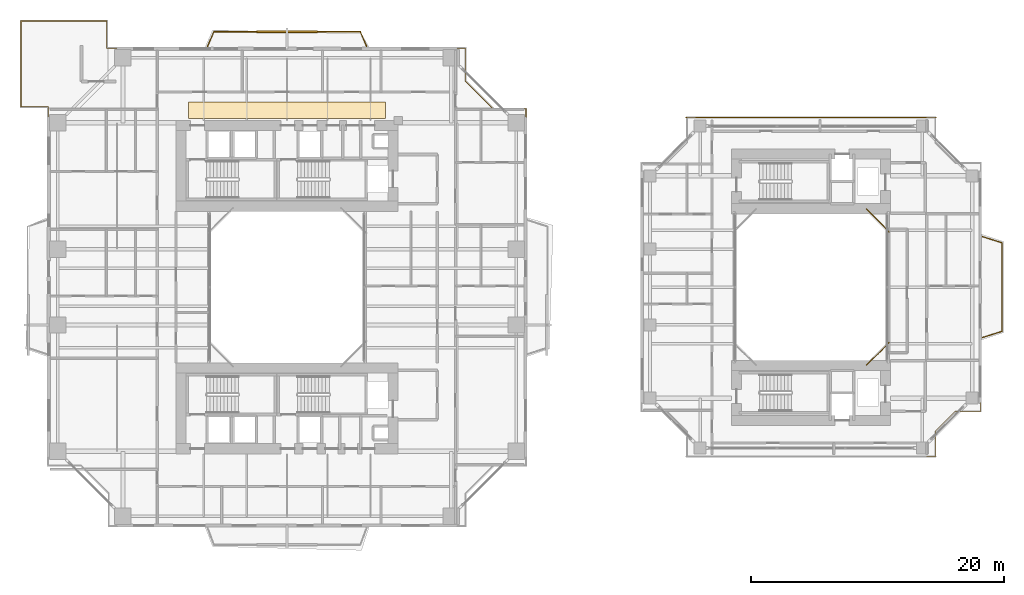
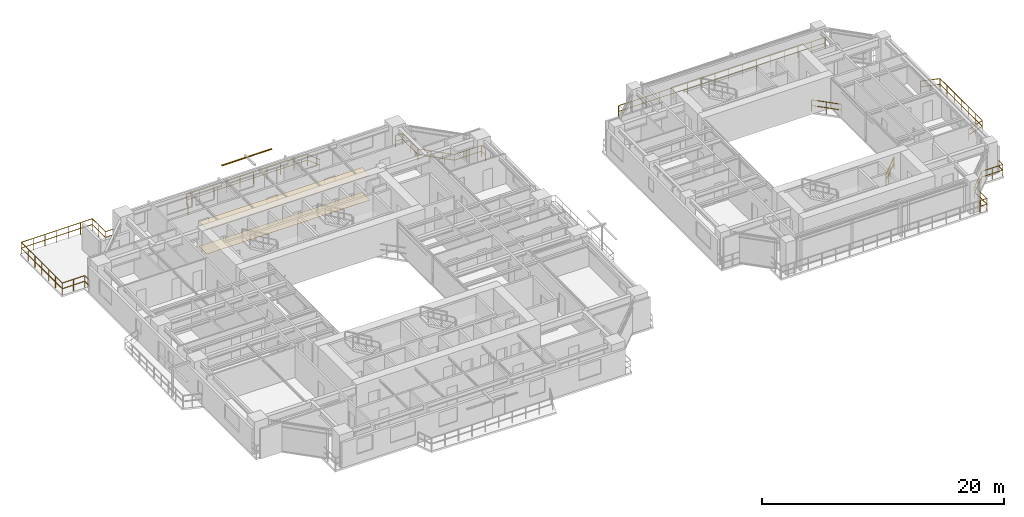
# One storey, part 23 of 24: 8 railings, 2 coverings, 1 shading device.
"""IFC4 building model written with IfcOpenShell, lengths in metres."""

from ifc_helpers import new_model, si_unit, direction, frame, origin, origin_2d, place, context, subcontext, project, spatial, polyline, rectangle, outline, extrude, source, transform, mapped, material, layer, layer_set, material_profile, profile_set, type_object, element, save


model = new_model("IFC4")

# Units and contexts
model_context = context("Model", 3, precision=1e-05, world=origin(), true_north=direction((0.0, 1.0)))
body_context = subcontext(model_context, "Body", "Model", "MODEL_VIEW")
ifc_project = project(units=[si_unit("LENGTHUNIT", "METRE"), si_unit("AREAUNIT", "SQUARE_METRE"), si_unit("VOLUMEUNIT", "CUBIC_METRE"), si_unit("PLANEANGLEUNIT", "RADIAN"), si_unit("MASSUNIT", "GRAM", prefix="KILO"), si_unit("THERMODYNAMICTEMPERATUREUNIT", "KELVIN"), si_unit("POWERUNIT", "WATT")], contexts=[model_context])

# Site, building, storey
site_placement = place(None, origin())
site = spatial("IfcSite", under=ifc_project, at=site_placement, CompositionType="ELEMENT")
building_placement = place(site_placement, origin())
building = spatial("IfcBuilding", under=site, at=building_placement, Name="Qiaomeng Ring Towers", CompositionType="ELEMENT")
storey_placement = place(building_placement, frame((0.0, 0.0, 42.5)))
storey = spatial("IfcBuildingStorey", under=building, at=storey_placement, Name="L11", CompositionType="ELEMENT", Elevation=42.5)

# Coverings
ifc_material_1 = material(Name="Moisture-resistant gypsum ceiling board", Category="gypsum")
ifc_layer_1 = layer(ifc_material_1, 0.030029296875, Name="Moisture-resistant gypsum ceiling board")
ifc_layer_set_1 = layer_set([ifc_layer_1], Name="Moisture-resistant gypsum ceiling board")
covering_type_1 = type_object("IfcCoveringType", Name="ARC-COV-CEIL2", PredefinedType="CEILING", material=ifc_layer_set_1)
covering_1_placement = place(storey_placement, frame((0.0, 0.0, 2.510009765625)))
element("IfcCovering", 1, at=covering_1_placement, inside=storey, type_object=covering_type_1, Name="L11 Corridor Acoustic Ceiling", PredefinedType="CEILING", context=body_context, shape_type="SweptSolid", body=[
    extrude(outline(polyline([(11.199951171875, 36.35009765625), (11.199951171875, 37.64990234375), (26.800048828125, 37.64990234375), (26.800048828125, 36.35009765625), (11.199951171875, 36.35009765625)])), origin(), (0.0, 0.0, 1.0), 0.02490234375),
])
ifc_material_2 = material(Name="Vitrified porcelain floor tile", Category="ceramic")
ifc_layer_2 = layer(ifc_material_2, 0.02001953125, Name="Vitrified porcelain floor tile")
ifc_layer_set_2 = layer_set([ifc_layer_2], Name="Vitrified porcelain floor tile")
covering_type_2 = type_object("IfcCoveringType", Name="ARC-COV-FLR1", PredefinedType="FLOORING", material=ifc_layer_set_2)
covering_2_placement = place(storey_placement, origin())
element("IfcCovering", 2, at=covering_2_placement, inside=storey, type_object=covering_type_2, Name="L11 Corridor Stone Flooring", PredefinedType="FLOORING", context=body_context, shape_type="SweptSolid", body=[
    extrude(outline(polyline([(11.199951171875, 36.35009765625), (11.199951171875, 37.64990234375), (26.800048828125, 37.64990234375), (26.800048828125, 36.35009765625), (11.199951171875, 36.35009765625)])), origin(), (0.0, 0.0, 1.0), 0.02001953125),
])

# Railings
ifc_material_3 = material(Name="Low-E pale-green laminated safety glass", Category="glass")
railing_type = type_object("IfcRailingType", Name="ARC-RL-BAL1", PredefinedType="BALUSTRADE", material=ifc_material_3)
railing_1_placement = place(storey_placement, frame((37.919921875, 36.469970703125, 0.0)))
element("IfcRailing", 3, at=railing_1_placement, inside=storey, type_object=railing_type, Name="L11 Balustrade ARC-BAL-NOTCH1-L11-NE", PredefinedType="BALUSTRADE", context=body_context, shape_type="SweptSolid", body=[
    extrude(rectangle(XDim=0.048095703125, YDim=0.048095703125, at=origin_2d()), frame((0.0, 0.0, 1.17578125), z_axis=(0.0, 1.0, 0.0), x_axis=(-1.0, 0.0, 0.0)), (0.0, 0.0, 1.0), 0.650146484375),
    extrude(rectangle(XDim=0.048095703125, YDim=0.048095703125, at=origin_2d()), frame((0.0, 0.0, 0.60009765625), z_axis=(0.0, 1.0, 0.0), x_axis=(-1.0, 0.0, 0.0)), (0.0, 0.0, 1.0), 0.650146484375),
    extrude(rectangle(XDim=0.048095703125, YDim=0.048095703125, at=origin_2d()), frame((0.0, 0.650146484375, 1.17578125), z_axis=(-1.0, 0.0, 0.0), x_axis=(0.0, -1.0, 0.0)), (0.0, 0.0, 1.0), 2.599853515625),
    extrude(rectangle(XDim=0.048095703125, YDim=0.048095703125, at=origin_2d()), frame((0.0, 0.650146484375, 0.60009765625), z_axis=(-1.0, 0.0, 0.0), x_axis=(0.0, -1.0, 0.0)), (0.0, 0.0, 1.0), 2.599853515625),
    extrude(rectangle(XDim=0.048095703125, YDim=0.048095703125, at=origin_2d()), frame((-2.599853515625, 0.650146484375, 1.17578125), z_axis=(-0.707106781187, 0.707106781187, 0.0), x_axis=(-0.707106781187, -0.707106781187, 0.0)), (0.0, 0.0, 1.0), 3.111083984375),
    extrude(rectangle(XDim=0.048095703125, YDim=0.048095703125, at=origin_2d()), frame((-2.599853515625, 0.650146484375, 0.60009765625), z_axis=(-0.707106781187, 0.707106781187, 0.0), x_axis=(-0.707106781187, -0.707106781187, 0.0)), (0.0, 0.0, 1.0), 3.111083984375),
    extrude(rectangle(XDim=0.048095703125, YDim=0.048095703125, at=origin_2d()), frame((-4.7998046875, 2.85009765625, 1.17578125), z_axis=(0.0, 1.0, 0.0), x_axis=(-1.0, 0.0, 0.0)), (0.0, 0.0, 1.0), 2.599853515625),
    extrude(rectangle(XDim=0.048095703125, YDim=0.048095703125, at=origin_2d()), frame((-4.7998046875, 2.85009765625, 0.60009765625), z_axis=(0.0, 1.0, 0.0), x_axis=(-1.0, 0.0, 0.0)), (0.0, 0.0, 1.0), 2.599853515625),
    extrude(rectangle(XDim=0.048095703125, YDim=0.048095703125, at=origin_2d()), frame((-4.7998046875, 5.449951171875, 1.17578125), z_axis=(-1.0, 0.0, 0.0), x_axis=(0.0, -1.0, 0.0)), (0.0, 0.0, 1.0), 0.650146484375),
    extrude(rectangle(XDim=0.048095703125, YDim=0.048095703125, at=origin_2d()), frame((-4.7998046875, 5.449951171875, 0.60009765625), z_axis=(-1.0, 0.0, 0.0), x_axis=(0.0, -1.0, 0.0)), (0.0, 0.0, 1.0), 0.650146484375),
    extrude(rectangle(XDim=0.0419921875, YDim=0.0419921875, at=origin_2d()), origin(), (0.0, 0.0, 1.0), 1.15185546875),
    extrude(rectangle(XDim=0.0419921875, YDim=0.0419921875, at=origin_2d()), frame((0.0, 0.650146484375, 0.0)), (0.0, 0.0, 1.0), 1.15185546875),
    extrude(rectangle(XDim=0.0419921875, YDim=0.0419921875, at=origin_2d()), frame((-1.2998046875, 0.650146484375, 0.0)), (0.0, 0.0, 1.0), 1.15185546875),
    extrude(rectangle(XDim=0.0419921875, YDim=0.0419921875, at=origin_2d()), frame((-2.599853515625, 0.650146484375, 0.0)), (0.0, 0.0, 1.0), 1.15185546875),
    extrude(rectangle(XDim=0.0419921875, YDim=0.0419921875, at=origin_2d()), frame((-3.333251953125, 1.383544921875, 0.0)), (0.0, 0.0, 1.0), 1.15185546875),
    extrude(rectangle(XDim=0.0419921875, YDim=0.0419921875, at=origin_2d()), frame((-4.06640625, 2.11669921875, 0.0)), (0.0, 0.0, 1.0), 1.15185546875),
    extrude(rectangle(XDim=0.0419921875, YDim=0.0419921875, at=origin_2d()), frame((-4.7998046875, 2.85009765625, 0.0)), (0.0, 0.0, 1.0), 1.15185546875),
    extrude(rectangle(XDim=0.0419921875, YDim=0.0419921875, at=origin_2d()), frame((-4.7998046875, 4.14990234375, 0.0)), (0.0, 0.0, 1.0), 1.15185546875),
    extrude(rectangle(XDim=0.0419921875, YDim=0.0419921875, at=origin_2d()), frame((-4.7998046875, 5.449951171875, 0.0)), (0.0, 0.0, 1.0), 1.15185546875),
    extrude(rectangle(XDim=0.0419921875, YDim=0.0419921875, at=origin_2d()), frame((-5.449951171875, 5.449951171875, 0.0)), (0.0, 0.0, 1.0), 1.15185546875),
])
railing_2_placement = place(storey_placement, frame((5.52001953125, 41.919921875, 0.0)))
element("IfcRailing", 4, at=railing_2_placement, inside=storey, type_object=railing_type, Name="L11 Balustrade ARC-BAL-L11-SPIRAL-NW", PredefinedType="BALUSTRADE", context=body_context, shape_type="SweptSolid", body=[
    extrude(rectangle(XDim=0.048095703125, YDim=0.048095703125, at=origin_2d()), frame((0.0, 0.0, 1.17578125), z_axis=(-1.0, 0.0, 0.0), x_axis=(0.0, -1.0, 0.0)), (0.0, 0.0, 1.0), 0.800048828125),
    extrude(rectangle(XDim=0.048095703125, YDim=0.048095703125, at=origin_2d()), frame((0.0, 0.0, 0.60009765625), z_axis=(-1.0, 0.0, 0.0), x_axis=(0.0, -1.0, 0.0)), (0.0, 0.0, 1.0), 0.800048828125),
    extrude(rectangle(XDim=0.048095703125, YDim=0.048095703125, at=origin_2d()), frame((-0.800048828125, 0.0, 1.17578125), z_axis=(0.0, 1.0, 0.0), x_axis=(-1.0, 0.0, 0.0)), (0.0, 0.0, 1.0), 2.150146484375),
    extrude(rectangle(XDim=0.048095703125, YDim=0.048095703125, at=origin_2d()), frame((-0.800048828125, 0.0, 0.60009765625), z_axis=(0.0, 1.0, 0.0), x_axis=(-1.0, 0.0, 0.0)), (0.0, 0.0, 1.0), 2.150146484375),
    extrude(rectangle(XDim=0.048095703125, YDim=0.048095703125, at=origin_2d()), frame((-0.800048828125, 2.150146484375, 1.17578125), z_axis=(-1.0, 0.0, 0.0), x_axis=(0.0, -1.0, 0.0)), (0.0, 0.0, 1.0), 6.7900390625),
    extrude(rectangle(XDim=0.048095703125, YDim=0.048095703125, at=origin_2d()), frame((-0.800048828125, 2.150146484375, 0.60009765625), z_axis=(-1.0, 0.0, 0.0), x_axis=(0.0, -1.0, 0.0)), (0.0, 0.0, 1.0), 6.7900390625),
    extrude(rectangle(XDim=0.048095703125, YDim=0.048095703125, at=origin_2d()), frame((-7.590087890625, 2.150146484375, 1.17578125), z_axis=(0.0, -1.0, 0.0), x_axis=(1.0, 0.0, 0.0)), (0.0, 0.0, 1.0), 6.7900390625),
    extrude(rectangle(XDim=0.048095703125, YDim=0.048095703125, at=origin_2d()), frame((-7.590087890625, 2.150146484375, 0.60009765625), z_axis=(0.0, -1.0, 0.0), x_axis=(1.0, 0.0, 0.0)), (0.0, 0.0, 1.0), 6.7900390625),
    extrude(rectangle(XDim=0.048095703125, YDim=0.048095703125, at=origin_2d()), frame((-7.590087890625, -4.639892578125, 1.17578125), z_axis=(1.0, 0.0, 0.0), x_axis=(0.0, 1.0, 0.0)), (0.0, 0.0, 1.0), 2.150146484375),
    extrude(rectangle(XDim=0.048095703125, YDim=0.048095703125, at=origin_2d()), frame((-7.590087890625, -4.639892578125, 0.60009765625), z_axis=(1.0, 0.0, 0.0), x_axis=(0.0, 1.0, 0.0)), (0.0, 0.0, 1.0), 2.150146484375),
    extrude(rectangle(XDim=0.048095703125, YDim=0.048095703125, at=origin_2d()), frame((-5.43994140625, -4.639892578125, 1.17578125), z_axis=(0.0, -1.0, 0.0), x_axis=(1.0, 0.0, 0.0)), (0.0, 0.0, 1.0), 0.800048828125),
    extrude(rectangle(XDim=0.048095703125, YDim=0.048095703125, at=origin_2d()), frame((-5.43994140625, -4.639892578125, 0.60009765625), z_axis=(0.0, -1.0, 0.0), x_axis=(1.0, 0.0, 0.0)), (0.0, 0.0, 1.0), 0.800048828125),
    extrude(rectangle(XDim=0.0419921875, YDim=0.0419921875, at=origin_2d()), origin(), (0.0, 0.0, 1.0), 1.15185546875),
    extrude(rectangle(XDim=0.0419921875, YDim=0.0419921875, at=origin_2d()), frame((-0.800048828125, 0.0, 0.0)), (0.0, 0.0, 1.0), 1.15185546875),
    extrude(rectangle(XDim=0.0419921875, YDim=0.0419921875, at=origin_2d()), frame((-0.800048828125, 1.0751953125, 0.0)), (0.0, 0.0, 1.0), 1.15185546875),
    extrude(rectangle(XDim=0.0419921875, YDim=0.0419921875, at=origin_2d()), frame((-0.800048828125, 2.150146484375, 0.0)), (0.0, 0.0, 1.0), 1.15185546875),
    extrude(rectangle(XDim=0.0419921875, YDim=0.0419921875, at=origin_2d()), frame((-1.931640625, 2.150146484375, 0.0)), (0.0, 0.0, 1.0), 1.15185546875),
    extrude(rectangle(XDim=0.0419921875, YDim=0.0419921875, at=origin_2d()), frame((-3.0634765625, 2.150146484375, 0.0)), (0.0, 0.0, 1.0), 1.15185546875),
    extrude(rectangle(XDim=0.0419921875, YDim=0.0419921875, at=origin_2d()), frame((-4.195068359375, 2.150146484375, 0.0)), (0.0, 0.0, 1.0), 1.15185546875),
    extrude(rectangle(XDim=0.0419921875, YDim=0.0419921875, at=origin_2d()), frame((-5.32666015625, 2.150146484375, 0.0)), (0.0, 0.0, 1.0), 1.15185546875),
    extrude(rectangle(XDim=0.0419921875, YDim=0.0419921875, at=origin_2d()), frame((-6.45849609375, 2.150146484375, 0.0)), (0.0, 0.0, 1.0), 1.15185546875),
    extrude(rectangle(XDim=0.0419921875, YDim=0.0419921875, at=origin_2d()), frame((-7.590087890625, 2.150146484375, 0.0)), (0.0, 0.0, 1.0), 1.15185546875),
    extrude(rectangle(XDim=0.0419921875, YDim=0.0419921875, at=origin_2d()), frame((-7.590087890625, 1.0185546875, 0.0)), (0.0, 0.0, 1.0), 1.15185546875),
    extrude(rectangle(XDim=0.0419921875, YDim=0.0419921875, at=origin_2d()), frame((-7.590087890625, -0.11328125, 0.0)), (0.0, 0.0, 1.0), 1.15185546875),
    extrude(rectangle(XDim=0.0419921875, YDim=0.0419921875, at=origin_2d()), frame((-7.590087890625, -1.244873046875, 0.0)), (0.0, 0.0, 1.0), 1.15185546875),
    extrude(rectangle(XDim=0.0419921875, YDim=0.0419921875, at=origin_2d()), frame((-7.590087890625, -2.37646484375, 0.0)), (0.0, 0.0, 1.0), 1.15185546875),
    extrude(rectangle(XDim=0.0419921875, YDim=0.0419921875, at=origin_2d()), frame((-7.590087890625, -3.50830078125, 0.0)), (0.0, 0.0, 1.0), 1.15185546875),
    extrude(rectangle(XDim=0.0419921875, YDim=0.0419921875, at=origin_2d()), frame((-7.590087890625, -4.639892578125, 0.0)), (0.0, 0.0, 1.0), 1.15185546875),
    extrude(rectangle(XDim=0.0419921875, YDim=0.0419921875, at=origin_2d()), frame((-6.51513671875, -4.639892578125, 0.0)), (0.0, 0.0, 1.0), 1.15185546875),
    extrude(rectangle(XDim=0.0419921875, YDim=0.0419921875, at=origin_2d()), frame((-5.43994140625, -4.639892578125, 0.0)), (0.0, 0.0, 1.0), 1.15185546875),
    extrude(rectangle(XDim=0.0419921875, YDim=0.0419921875, at=origin_2d()), frame((-5.43994140625, -5.43994140625, 0.0)), (0.0, 0.0, 1.0), 1.15185546875),
])
railing_3_placement = place(storey_placement, frame((12.699951171875, 42.050048828125, 0.0)))
element("IfcRailing", 5, at=railing_3_placement, inside=storey, type_object=railing_type, Name="L11 Balustrade ARC-BAL-L11-T1-N", PredefinedType="BALUSTRADE", context=body_context, shape_type="SweptSolid", body=[
    extrude(rectangle(XDim=0.048095703125, YDim=0.048095703125, at=origin_2d()), frame((0.0, 0.0, 1.17578125), z_axis=(0.39299272826, 0.919541579014, 0.0), x_axis=(-0.919541579014, 0.39299272826, 0.0)), (0.0, 0.0, 1.0), 1.272216796875),
    extrude(rectangle(XDim=0.048095703125, YDim=0.048095703125, at=origin_2d()), frame((0.0, 0.0, 0.60009765625), z_axis=(0.39299272826, 0.919541579014, 0.0), x_axis=(-0.919541579014, 0.39299272826, 0.0)), (0.0, 0.0, 1.0), 1.272216796875),
    extrude(rectangle(XDim=0.048095703125, YDim=0.048095703125, at=origin_2d()), frame((0.5, 1.169921875, 1.17578125), z_axis=(1.0, 0.0, 0.0), x_axis=(0.0, 1.0, 0.0)), (0.0, 0.0, 1.0), 11.60009765625),
    extrude(rectangle(XDim=0.048095703125, YDim=0.048095703125, at=origin_2d()), frame((0.5, 1.169921875, 0.60009765625), z_axis=(1.0, 0.0, 0.0), x_axis=(0.0, 1.0, 0.0)), (0.0, 0.0, 1.0), 11.60009765625),
    extrude(rectangle(XDim=0.048095703125, YDim=0.048095703125, at=origin_2d()), frame((12.10009765625, 1.169921875, 1.17578125), z_axis=(0.39299272826, -0.919541579014, 0.0), x_axis=(0.919541579014, 0.39299272826, 0.0)), (0.0, 0.0, 1.0), 1.272216796875),
    extrude(rectangle(XDim=0.048095703125, YDim=0.048095703125, at=origin_2d()), frame((12.10009765625, 1.169921875, 0.60009765625), z_axis=(0.39299272826, -0.919541579014, 0.0), x_axis=(0.919541579014, 0.39299272826, 0.0)), (0.0, 0.0, 1.0), 1.272216796875),
    extrude(rectangle(XDim=0.0419921875, YDim=0.0419921875, at=origin_2d()), origin(), (0.0, 0.0, 1.0), 1.15185546875),
    extrude(rectangle(XDim=0.0419921875, YDim=0.0419921875, at=origin_2d()), frame((0.5, 1.169921875, 0.0)), (0.0, 0.0, 1.0), 1.15185546875),
    extrude(rectangle(XDim=0.0419921875, YDim=0.0419921875, at=origin_2d()), frame((1.788818359375, 1.169921875, 0.0)), (0.0, 0.0, 1.0), 1.15185546875),
    extrude(rectangle(XDim=0.0419921875, YDim=0.0419921875, at=origin_2d()), frame((3.077880859375, 1.169921875, 0.0)), (0.0, 0.0, 1.0), 1.15185546875),
    extrude(rectangle(XDim=0.0419921875, YDim=0.0419921875, at=origin_2d()), frame((4.36669921875, 1.169921875, 0.0)), (0.0, 0.0, 1.0), 1.15185546875),
    extrude(rectangle(XDim=0.0419921875, YDim=0.0419921875, at=origin_2d()), frame((5.655517578125, 1.169921875, 0.0)), (0.0, 0.0, 1.0), 1.15185546875),
    extrude(rectangle(XDim=0.0419921875, YDim=0.0419921875, at=origin_2d()), frame((6.944580078125, 1.169921875, 0.0)), (0.0, 0.0, 1.0), 1.15185546875),
    extrude(rectangle(XDim=0.0419921875, YDim=0.0419921875, at=origin_2d()), frame((8.2333984375, 1.169921875, 0.0)), (0.0, 0.0, 1.0), 1.15185546875),
    extrude(rectangle(XDim=0.0419921875, YDim=0.0419921875, at=origin_2d()), frame((9.522216796875, 1.169921875, 0.0)), (0.0, 0.0, 1.0), 1.15185546875),
    extrude(rectangle(XDim=0.0419921875, YDim=0.0419921875, at=origin_2d()), frame((10.811279296875, 1.169921875, 0.0)), (0.0, 0.0, 1.0), 1.15185546875),
    extrude(rectangle(XDim=0.0419921875, YDim=0.0419921875, at=origin_2d()), frame((12.10009765625, 1.169921875, 0.0)), (0.0, 0.0, 1.0), 1.15185546875),
    extrude(rectangle(XDim=0.0419921875, YDim=0.0419921875, at=origin_2d()), frame((12.60009765625, 0.0, 0.0)), (0.0, 0.0, 1.0), 1.15185546875),
])
railing_4_placement = place(storey_placement, frame((64.8798828125, 16.820068359375, 0.0)))
element("IfcRailing", 6, at=railing_4_placement, inside=storey, type_object=railing_type, Name="L11 Balustrade ARC-BAL-WELL2-L11-1", PredefinedType="BALUSTRADE", context=body_context, shape_type="SweptSolid", body=[
    extrude(rectangle(XDim=0.048095703125, YDim=0.048095703125, at=origin_2d()), frame((0.0, 0.0, 1.17578125), z_axis=(0.707106781187, 0.707106781187, 0.0), x_axis=(-0.707106781187, 0.707106781187, 0.0)), (0.0, 0.0, 1.0), 2.545654296875),
    extrude(rectangle(XDim=0.048095703125, YDim=0.048095703125, at=origin_2d()), frame((0.0, 0.0, 0.60009765625), z_axis=(0.707106781187, 0.707106781187, 0.0), x_axis=(-0.707106781187, 0.707106781187, 0.0)), (0.0, 0.0, 1.0), 2.545654296875),
    extrude(rectangle(XDim=0.0419921875, YDim=0.0419921875, at=origin_2d()), origin(), (0.0, 0.0, 1.0), 1.15185546875),
    extrude(rectangle(XDim=0.0419921875, YDim=0.0419921875, at=origin_2d()), frame((0.89990234375, 0.89990234375, 0.0)), (0.0, 0.0, 1.0), 1.15185546875),
    extrude(rectangle(XDim=0.0419921875, YDim=0.0419921875, at=origin_2d()), frame((1.800048828125, 1.800048828125, 0.0)), (0.0, 0.0, 1.0), 1.15185546875),
])
railing_5_placement = place(storey_placement, frame((66.679931640625, 27.3798828125, 0.0)))
element("IfcRailing", 7, at=railing_5_placement, inside=storey, type_object=railing_type, Name="L11 Balustrade ARC-BAL-WELL2-L11-2", PredefinedType="BALUSTRADE", context=body_context, shape_type="SweptSolid", body=[
    extrude(rectangle(XDim=0.048095703125, YDim=0.048095703125, at=origin_2d()), frame((0.0, 0.0, 1.17578125), z_axis=(-0.707106781187, 0.707106781187, 0.0), x_axis=(-0.707106781187, -0.707106781187, 0.0)), (0.0, 0.0, 1.0), 2.545654296875),
    extrude(rectangle(XDim=0.048095703125, YDim=0.048095703125, at=origin_2d()), frame((0.0, 0.0, 0.60009765625), z_axis=(-0.707106781187, 0.707106781187, 0.0), x_axis=(-0.707106781187, -0.707106781187, 0.0)), (0.0, 0.0, 1.0), 2.545654296875),
    extrude(rectangle(XDim=0.0419921875, YDim=0.0419921875, at=origin_2d()), origin(), (0.0, 0.0, 1.0), 1.15185546875),
    extrude(rectangle(XDim=0.0419921875, YDim=0.0419921875, at=origin_2d()), frame((-0.89990234375, 0.89990234375, 0.0)), (0.0, 0.0, 1.0), 1.15185546875),
    extrude(rectangle(XDim=0.0419921875, YDim=0.0419921875, at=origin_2d()), frame((-1.800048828125, 1.800048828125, 0.0)), (0.0, 0.0, 1.0), 1.15185546875),
])
railing_6_placement = place(storey_placement, frame((69.669921875, 9.580078125, 0.0)))
element("IfcRailing", 8, at=railing_6_placement, inside=storey, type_object=railing_type, Name="L11 Balustrade ARC-BAL-NOTCH2-L11-SE", PredefinedType="BALUSTRADE", context=body_context, shape_type="SweptSolid", body=[
    extrude(rectangle(XDim=0.048095703125, YDim=0.048095703125, at=origin_2d()), frame((0.0, 0.0, 1.17578125), z_axis=(1.0, 0.0, 0.0), x_axis=(0.0, 1.0, 0.0)), (0.0, 0.0, 1.0), 0.650146484375),
    extrude(rectangle(XDim=0.048095703125, YDim=0.048095703125, at=origin_2d()), frame((0.0, 0.0, 0.60009765625), z_axis=(1.0, 0.0, 0.0), x_axis=(0.0, 1.0, 0.0)), (0.0, 0.0, 1.0), 0.650146484375),
    extrude(rectangle(XDim=0.048095703125, YDim=0.048095703125, at=origin_2d()), frame((0.650146484375, 0.0, 1.17578125), z_axis=(0.0, 1.0, 0.0), x_axis=(-1.0, 0.0, 0.0)), (0.0, 0.0, 1.0), 2.0),
    extrude(rectangle(XDim=0.048095703125, YDim=0.048095703125, at=origin_2d()), frame((0.650146484375, 0.0, 0.60009765625), z_axis=(0.0, 1.0, 0.0), x_axis=(-1.0, 0.0, 0.0)), (0.0, 0.0, 1.0), 2.0),
    extrude(rectangle(XDim=0.048095703125, YDim=0.048095703125, at=origin_2d()), frame((0.650146484375, 2.0, 1.17578125), z_axis=(0.707106781187, 0.707106781187, 0.0), x_axis=(-0.707106781187, 0.707106781187, 0.0)), (0.0, 0.0, 1.0), 2.262451171875),
    extrude(rectangle(XDim=0.048095703125, YDim=0.048095703125, at=origin_2d()), frame((0.650146484375, 2.0, 0.60009765625), z_axis=(0.707106781187, 0.707106781187, 0.0), x_axis=(-0.707106781187, 0.707106781187, 0.0)), (0.0, 0.0, 1.0), 2.262451171875),
    extrude(rectangle(XDim=0.048095703125, YDim=0.048095703125, at=origin_2d()), frame((2.25, 3.599853515625, 1.17578125), z_axis=(1.0, 0.0, 0.0), x_axis=(0.0, 1.0, 0.0)), (0.0, 0.0, 1.0), 2.0),
    extrude(rectangle(XDim=0.048095703125, YDim=0.048095703125, at=origin_2d()), frame((2.25, 3.599853515625, 0.60009765625), z_axis=(1.0, 0.0, 0.0), x_axis=(0.0, 1.0, 0.0)), (0.0, 0.0, 1.0), 2.0),
    extrude(rectangle(XDim=0.048095703125, YDim=0.048095703125, at=origin_2d()), frame((4.25, 3.599853515625, 1.17578125), z_axis=(0.0, 1.0, 0.0), x_axis=(-1.0, 0.0, 0.0)), (0.0, 0.0, 1.0), 0.650146484375),
    extrude(rectangle(XDim=0.048095703125, YDim=0.048095703125, at=origin_2d()), frame((4.25, 3.599853515625, 0.60009765625), z_axis=(0.0, 1.0, 0.0), x_axis=(-1.0, 0.0, 0.0)), (0.0, 0.0, 1.0), 0.650146484375),
    extrude(rectangle(XDim=0.0419921875, YDim=0.0419921875, at=origin_2d()), origin(), (0.0, 0.0, 1.0), 1.15185546875),
    extrude(rectangle(XDim=0.0419921875, YDim=0.0419921875, at=origin_2d()), frame((0.650146484375, 0.0, 0.0)), (0.0, 0.0, 1.0), 1.15185546875),
    extrude(rectangle(XDim=0.0419921875, YDim=0.0419921875, at=origin_2d()), frame((0.650146484375, 1.0, 0.0)), (0.0, 0.0, 1.0), 1.15185546875),
    extrude(rectangle(XDim=0.0419921875, YDim=0.0419921875, at=origin_2d()), frame((0.650146484375, 2.0, 0.0)), (0.0, 0.0, 1.0), 1.15185546875),
    extrude(rectangle(XDim=0.0419921875, YDim=0.0419921875, at=origin_2d()), frame((1.4501953125, 2.7998046875, 0.0)), (0.0, 0.0, 1.0), 1.15185546875),
    extrude(rectangle(XDim=0.0419921875, YDim=0.0419921875, at=origin_2d()), frame((2.25, 3.599853515625, 0.0)), (0.0, 0.0, 1.0), 1.15185546875),
    extrude(rectangle(XDim=0.0419921875, YDim=0.0419921875, at=origin_2d()), frame((3.25, 3.599853515625, 0.0)), (0.0, 0.0, 1.0), 1.15185546875),
    extrude(rectangle(XDim=0.0419921875, YDim=0.0419921875, at=origin_2d()), frame((4.25, 3.599853515625, 0.0)), (0.0, 0.0, 1.0), 1.15185546875),
    extrude(rectangle(XDim=0.0419921875, YDim=0.0419921875, at=origin_2d()), frame((4.25, 4.25, 0.0)), (0.0, 0.0, 1.0), 1.15185546875),
])
railing_7_placement = place(storey_placement, frame((50.60009765625, 36.419921875, 0.0)))
element("IfcRailing", 9, at=railing_7_placement, inside=storey, type_object=railing_type, Name="L11 Balustrade ARC-BAL-T2N-L11", PredefinedType="BALUSTRADE", context=body_context, shape_type="SweptSolid", body=[
    extrude(rectangle(XDim=0.048095703125, YDim=0.048095703125, at=origin_2d()), frame((0.0, 0.0, 1.17578125), z_axis=(1.0, 0.0, 0.0), x_axis=(0.0, 1.0, 0.0)), (0.0, 0.0, 1.0), 19.7998046875),
    extrude(rectangle(XDim=0.048095703125, YDim=0.048095703125, at=origin_2d()), frame((0.0, 0.0, 0.60009765625), z_axis=(1.0, 0.0, 0.0), x_axis=(0.0, 1.0, 0.0)), (0.0, 0.0, 1.0), 19.7998046875),
    extrude(rectangle(XDim=0.0419921875, YDim=0.0419921875, at=origin_2d()), origin(), (0.0, 0.0, 1.0), 1.15185546875),
    extrude(rectangle(XDim=0.0419921875, YDim=0.0419921875, at=origin_2d()), frame((1.320068359375, 0.0, 0.0)), (0.0, 0.0, 1.0), 1.15185546875),
    extrude(rectangle(XDim=0.0419921875, YDim=0.0419921875, at=origin_2d()), frame((2.639892578125, 0.0, 0.0)), (0.0, 0.0, 1.0), 1.15185546875),
    extrude(rectangle(XDim=0.0419921875, YDim=0.0419921875, at=origin_2d()), frame((3.9599609375, 0.0, 0.0)), (0.0, 0.0, 1.0), 1.15185546875),
    extrude(rectangle(XDim=0.0419921875, YDim=0.0419921875, at=origin_2d()), frame((5.280029296875, 0.0, 0.0)), (0.0, 0.0, 1.0), 1.15185546875),
    extrude(rectangle(XDim=0.0419921875, YDim=0.0419921875, at=origin_2d()), frame((6.599853515625, 0.0, 0.0)), (0.0, 0.0, 1.0), 1.15185546875),
    extrude(rectangle(XDim=0.0419921875, YDim=0.0419921875, at=origin_2d()), frame((7.919921875, 0.0, 0.0)), (0.0, 0.0, 1.0), 1.15185546875),
    extrude(rectangle(XDim=0.0419921875, YDim=0.0419921875, at=origin_2d()), frame((9.239990234375, 0.0, 0.0)), (0.0, 0.0, 1.0), 1.15185546875),
    extrude(rectangle(XDim=0.0419921875, YDim=0.0419921875, at=origin_2d()), frame((10.559814453125, 0.0, 0.0)), (0.0, 0.0, 1.0), 1.15185546875),
    extrude(rectangle(XDim=0.0419921875, YDim=0.0419921875, at=origin_2d()), frame((11.8798828125, 0.0, 0.0)), (0.0, 0.0, 1.0), 1.15185546875),
    extrude(rectangle(XDim=0.0419921875, YDim=0.0419921875, at=origin_2d()), frame((13.199951171875, 0.0, 0.0)), (0.0, 0.0, 1.0), 1.15185546875),
    extrude(rectangle(XDim=0.0419921875, YDim=0.0419921875, at=origin_2d()), frame((14.519775390625, 0.0, 0.0)), (0.0, 0.0, 1.0), 1.15185546875),
    extrude(rectangle(XDim=0.0419921875, YDim=0.0419921875, at=origin_2d()), frame((15.83984375, 0.0, 0.0)), (0.0, 0.0, 1.0), 1.15185546875),
    extrude(rectangle(XDim=0.0419921875, YDim=0.0419921875, at=origin_2d()), frame((17.159912109375, 0.0, 0.0)), (0.0, 0.0, 1.0), 1.15185546875),
    extrude(rectangle(XDim=0.0419921875, YDim=0.0419921875, at=origin_2d()), frame((18.479736328125, 0.0, 0.0)), (0.0, 0.0, 1.0), 1.15185546875),
    extrude(rectangle(XDim=0.0419921875, YDim=0.0419921875, at=origin_2d()), frame((19.7998046875, 0.0, 0.0)), (0.0, 0.0, 1.0), 1.15185546875),
])
railing_8_placement = place(storey_placement, frame((74.050048828125, 19.0, 0.0)))
element("IfcRailing", 10, at=railing_8_placement, inside=storey, type_object=railing_type, Name="L11 Balustrade ARC-BAL-L11-T2-E", PredefinedType="BALUSTRADE", context=body_context, shape_type="SweptSolid", body=[
    extrude(rectangle(XDim=0.048095703125, YDim=0.048095703125, at=origin_2d()), frame((0.0, 0.0, 1.17578125), z_axis=(0.952849860715, 0.303442157479, 0.0), x_axis=(-0.303442157479, 0.952849860715, 0.0)), (0.0, 0.0, 1.0), 1.647705078125),
    extrude(rectangle(XDim=0.048095703125, YDim=0.048095703125, at=origin_2d()), frame((0.0, 0.0, 0.60009765625), z_axis=(0.952849860715, 0.303442157479, 0.0), x_axis=(-0.303442157479, 0.952849860715, 0.0)), (0.0, 0.0, 1.0), 1.647705078125),
    extrude(rectangle(XDim=0.048095703125, YDim=0.048095703125, at=origin_2d()), frame((1.570068359375, 0.5, 1.17578125), z_axis=(0.0, 1.0, 0.0), x_axis=(-1.0, 0.0, 0.0)), (0.0, 0.0, 1.0), 7.0),
    extrude(rectangle(XDim=0.048095703125, YDim=0.048095703125, at=origin_2d()), frame((1.570068359375, 0.5, 0.60009765625), z_axis=(0.0, 1.0, 0.0), x_axis=(-1.0, 0.0, 0.0)), (0.0, 0.0, 1.0), 7.0),
    extrude(rectangle(XDim=0.048095703125, YDim=0.048095703125, at=origin_2d()), frame((1.570068359375, 7.5, 1.17578125), z_axis=(-0.952849860715, 0.303442157479, 0.0), x_axis=(-0.303442157479, -0.952849860715, 0.0)), (0.0, 0.0, 1.0), 1.647705078125),
    extrude(rectangle(XDim=0.048095703125, YDim=0.048095703125, at=origin_2d()), frame((1.570068359375, 7.5, 0.60009765625), z_axis=(-0.952849860715, 0.303442157479, 0.0), x_axis=(-0.303442157479, -0.952849860715, 0.0)), (0.0, 0.0, 1.0), 1.647705078125),
    extrude(rectangle(XDim=0.0419921875, YDim=0.0419921875, at=origin_2d()), origin(), (0.0, 0.0, 1.0), 1.15185546875),
    extrude(rectangle(XDim=0.0419921875, YDim=0.0419921875, at=origin_2d()), frame((0.78515625, 0.25, 0.0)), (0.0, 0.0, 1.0), 1.15185546875),
    extrude(rectangle(XDim=0.0419921875, YDim=0.0419921875, at=origin_2d()), frame((1.570068359375, 0.5, 0.0)), (0.0, 0.0, 1.0), 1.15185546875),
    extrude(rectangle(XDim=0.0419921875, YDim=0.0419921875, at=origin_2d()), frame((1.570068359375, 1.666748046875, 0.0)), (0.0, 0.0, 1.0), 1.15185546875),
    extrude(rectangle(XDim=0.0419921875, YDim=0.0419921875, at=origin_2d()), frame((1.570068359375, 2.833251953125, 0.0)), (0.0, 0.0, 1.0), 1.15185546875),
    extrude(rectangle(XDim=0.0419921875, YDim=0.0419921875, at=origin_2d()), frame((1.570068359375, 4.0, 0.0)), (0.0, 0.0, 1.0), 1.15185546875),
    extrude(rectangle(XDim=0.0419921875, YDim=0.0419921875, at=origin_2d()), frame((1.570068359375, 5.166748046875, 0.0)), (0.0, 0.0, 1.0), 1.15185546875),
    extrude(rectangle(XDim=0.0419921875, YDim=0.0419921875, at=origin_2d()), frame((1.570068359375, 6.333251953125, 0.0)), (0.0, 0.0, 1.0), 1.15185546875),
    extrude(rectangle(XDim=0.0419921875, YDim=0.0419921875, at=origin_2d()), frame((1.570068359375, 7.5, 0.0)), (0.0, 0.0, 1.0), 1.15185546875),
    extrude(rectangle(XDim=0.0419921875, YDim=0.0419921875, at=origin_2d()), frame((0.78515625, 7.75, 0.0)), (0.0, 0.0, 1.0), 1.15185546875),
    extrude(rectangle(XDim=0.0419921875, YDim=0.0419921875, at=origin_2d()), frame((0.0, 8.0, 0.0)), (0.0, 0.0, 1.0), 1.15185546875),
])

# Shading device
ifc_material_4 = material(Name="Fluorocarbon dark-grey aluminium", Category="aluminium")
ifc_material_profile = material_profile(ifc_material_4, rectangle(XDim=0.14990234375, YDim=0.034912109375, at=origin_2d()), Name="LV BLADE 150x35")
ifc_profile_set = profile_set([ifc_material_profile], Name="Fluorocarbon dark-grey aluminium")
shading_device_type = type_object("IfcShadingDeviceType", Name="ARC-SHD-SUN", PredefinedType="AWNING", material=ifc_profile_set)
shared_shape = source(origin(), body_context, "Body", "SweptSolid", [
    extrude(rectangle(XDim=0.14990234375, YDim=0.034912109375, at=origin_2d()), origin(), (0.0, 0.0, 1.0), 4.7998046875),
])
shading_device_placement = place(storey_placement, frame((16.60009765625, 43.219970703125, 2.929931640625), z_axis=(1.0, 0.0, 0.0), x_axis=(0.0, 1.0, 0.0)))
element("IfcShadingDevice", 11, at=shading_device_placement, inside=storey, type_object=shading_device_type, Name="L11 Ventilated Outer-Skin Sunshade N", PredefinedType="AWNING", context=body_context, shape_type="MappedRepresentation", body=[
    mapped(shared_shape, transform((0.0, 0.0, 0.0), x_axis=(1.0, 0.0, 0.0), y_axis=(0.0, 1.0, 0.0), z_axis=(0.0, 0.0, 1.0), scale=1.0)),
])

save(model, "model.ifc")
